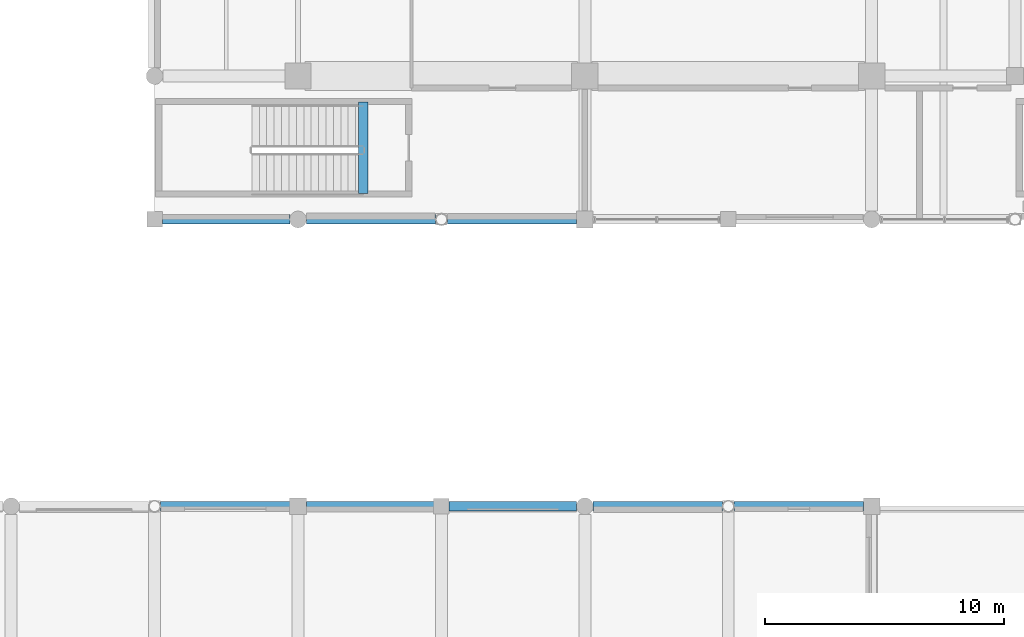
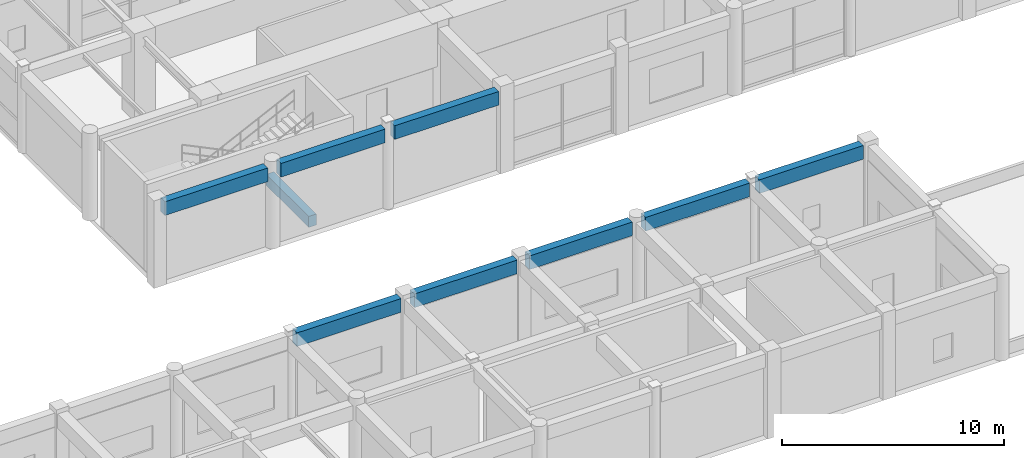
# One storey, part 52 of 123: 9 beams.
"""IFC4 building model written with IfcOpenShell, lengths in metres."""

from ifc_helpers import new_model, si_unit, direction, frame, origin, origin_2d, place, context, subcontext, project, spatial, rectangle, extrude, material, material_profile, profile_set, type_object, element, save


model = new_model("IFC4")

# Units and contexts
model_context = context("Model", 3, precision=1e-05, world=origin(), true_north=direction((0.0, 1.0)))
body_context = subcontext(model_context, "Body", "Model", "MODEL_VIEW")
ifc_project = project(units=[si_unit("LENGTHUNIT", "METRE"), si_unit("AREAUNIT", "SQUARE_METRE"), si_unit("VOLUMEUNIT", "CUBIC_METRE"), si_unit("PLANEANGLEUNIT", "RADIAN"), si_unit("MASSUNIT", "GRAM", prefix="KILO"), si_unit("THERMODYNAMICTEMPERATUREUNIT", "KELVIN"), si_unit("POWERUNIT", "WATT")], contexts=[model_context])

# Site, building, storey
site_placement = place(None, origin())
site = spatial("IfcSite", under=ifc_project, at=site_placement, CompositionType="ELEMENT")
building_placement = place(site_placement, origin())
building = spatial("IfcBuilding", under=site, at=building_placement, Name="Phaisarnlok Congress Hotel", CompositionType="ELEMENT")
storey_placement = place(building_placement, frame((0.0, 0.0, 15.0)))
storey = spatial("IfcBuildingStorey", under=building, at=storey_placement, Name="L03", CompositionType="ELEMENT", Elevation=15.0)

# Beams
ifc_material = material(Name="Concrete C40/50", Category="concrete")
ifc_material_profile_1 = material_profile(ifc_material, rectangle(XDim=0.39990234375, YDim=0.60009765625, at=origin_2d()), Name="RC 400x600")
ifc_profile_set_1 = profile_set([ifc_material_profile_1], Name="Concrete C40/50")
beam_type_1 = type_object("IfcBeamType", Name="BM-RC-400x600", PredefinedType="BEAM", material=ifc_profile_set_1)
beam_1_placement = place(storey_placement, frame((74.719970703125, 109.080078125, -0.300048828125), z_axis=(0.0, 1.0, 0.0), x_axis=(-1.0, 0.0, 0.0)))
element("IfcBeam", 1, at=beam_1_placement, inside=storey, type_object=beam_type_1, Name="Stair landing header beam B-02 (STAIR-HW L03)", PredefinedType="BEAM", context=body_context, shape_type="SweptSolid", body=[
    extrude(rectangle(XDim=0.39990234375, YDim=0.60009765625, at=origin_2d()), origin(), (0.0, 0.0, 1.0), 3.83984375),
])
ifc_material_profile_2 = material_profile(ifc_material, rectangle(XDim=0.39990234375, YDim=0.75, at=origin_2d()), Name="RC 400x750")
ifc_profile_set_2 = profile_set([ifc_material_profile_2], Name="Concrete C40/50")
beam_type_2 = type_object("IfcBeamType", Name="SP-RC-400x750", PredefinedType="SPANDREL", material=ifc_profile_set_2)
beam_2_placement = place(storey_placement, frame((66.2490234375, 96.0, 4.18505859375), z_axis=(1.0, 0.0, 0.0), x_axis=(0.0, 1.0, 0.0)))
element("IfcBeam", 2, at=beam_2_placement, inside=storey, type_object=beam_type_2, Name="Beam SP-02", PredefinedType="SPANDREL", context=body_context, shape_type="SweptSolid", body=[
    extrude(rectangle(XDim=0.39990234375, YDim=0.75, at=origin_2d()), origin(), (0.0, 0.0, 1.0), 5.406005859375),
])
for number, where, z_axis, x_axis, name in (
    (3, (66.320068359375, 108.0, 4.074951171875), (1.0, 0.0, 0.0), (0.0, 1.0, 0.0), "Beam SP-02"),
    (4, (72.344970703125, 96.0, 4.18505859375), (1.0, 0.0, 0.0), (0.0, 1.0, 0.0), "Beam SP-02"),
):
    element("IfcBeam", number, at=place(storey_placement, frame(where, z_axis=z_axis, x_axis=x_axis)), inside=storey, type_object=beam_type_2, Name=name, PredefinedType="SPANDREL", context=body_context, shape_type="SweptSolid", body=[
        extrude(rectangle(XDim=0.39990234375, YDim=0.75, at=origin_2d()), origin(), (0.0, 0.0, 1.0), 5.3349609375),
    ])
beam_3_placement = place(storey_placement, frame((72.344970703125, 108.0, 4.074951171875), z_axis=(1.0, 0.0, 0.0), x_axis=(0.0, 1.0, 0.0)))
element("IfcBeam", 5, at=beam_3_placement, inside=storey, type_object=beam_type_2, Name="Beam SP-02", PredefinedType="SPANDREL", context=body_context, shape_type="SweptSolid", body=[
    extrude(rectangle(XDim=0.39990234375, YDim=0.75, at=origin_2d()), origin(), (0.0, 0.0, 1.0), 5.406005859375),
])
beam_4_placement = place(storey_placement, frame((78.320068359375, 96.0, 4.18505859375), z_axis=(1.0, 0.0, 0.0), x_axis=(0.0, 1.0, 0.0)))
element("IfcBeam", 6, at=beam_4_placement, inside=storey, type_object=beam_type_2, Name="Beam SP-02", PredefinedType="SPANDREL", context=body_context, shape_type="SweptSolid", body=[
    extrude(rectangle(XDim=0.39990234375, YDim=0.75, at=origin_2d()), origin(), (0.0, 0.0, 1.0), 5.3349609375),
])
for number, where, z_axis, x_axis, name in (
    (7, (78.2490234375, 108.0, 4.074951171875), (1.0, 0.0, 0.0), (0.0, 1.0, 0.0), "Beam SP-02"),
    (8, (84.344970703125, 96.0, 4.18505859375), (1.0, 0.0, 0.0), (0.0, 1.0, 0.0), "Beam SP-02"),
    (9, (90.2490234375, 96.0, 4.18505859375), (1.0, 0.0, 0.0), (0.0, 1.0, 0.0), "Beam SP-02"),
):
    element("IfcBeam", number, at=place(storey_placement, frame(where, z_axis=z_axis, x_axis=x_axis)), inside=storey, type_object=beam_type_2, Name=name, PredefinedType="SPANDREL", context=body_context, shape_type="SweptSolid", body=[
        extrude(rectangle(XDim=0.39990234375, YDim=0.75, at=origin_2d()), origin(), (0.0, 0.0, 1.0), 5.406005859375),
    ])

save(model, "model.ifc")
